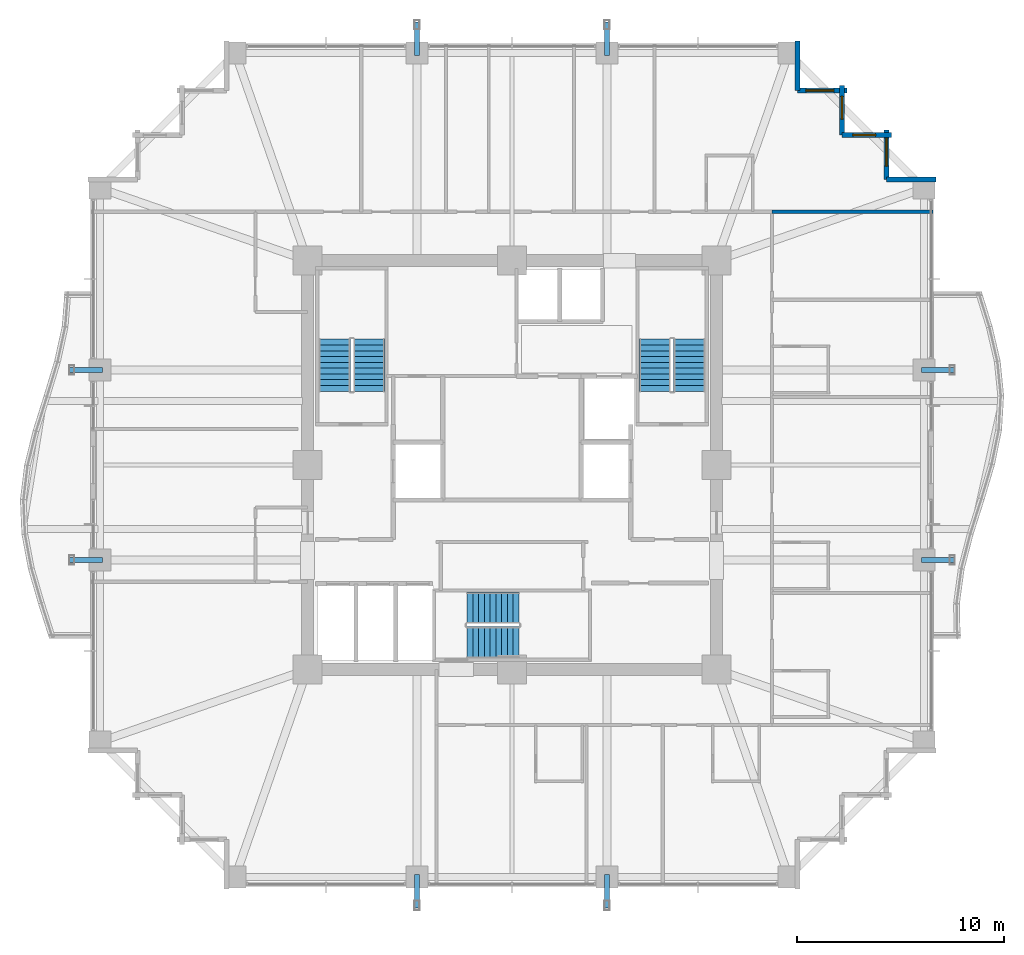
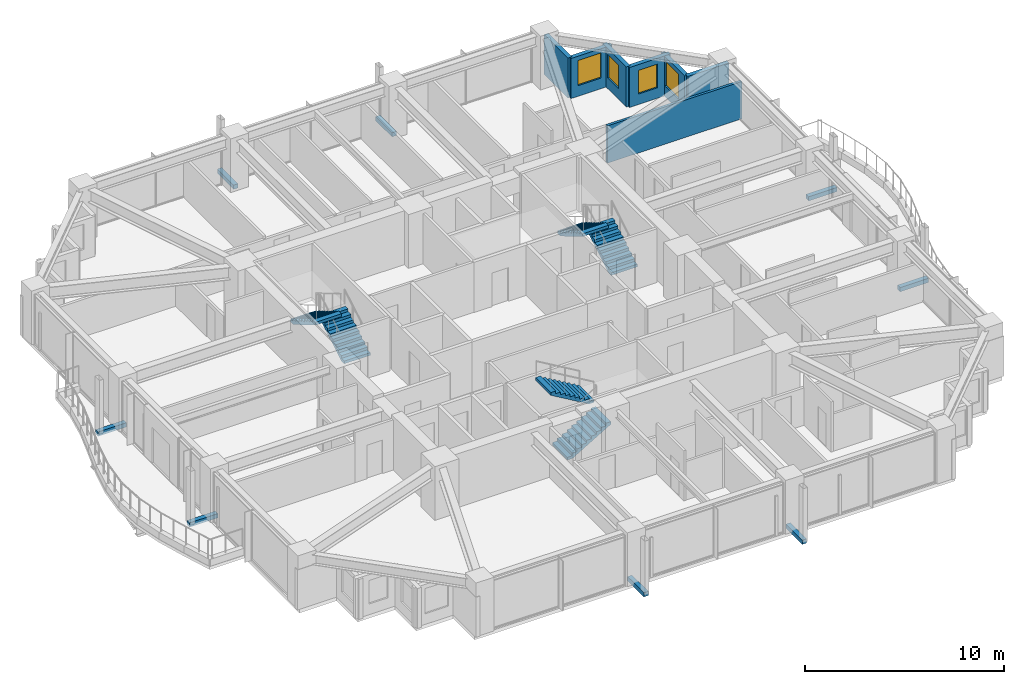
# One storey, part 35 of 37: 8 discrete accessories, 7 walls, 6 stair flights, 4 windows, 4 openings, 3 elements without a shape of their own.
"""IFC4 building model written with IfcOpenShell, lengths in metres."""

from ifc_helpers import new_model, si_unit, direction, frame, frame_2d, origin, origin_2d, place, context, subcontext, project, spatial, polyline, rectangle, outline, extrude, material, layer, layer_set, type_object, element, fill, aggregate, save


model = new_model("IFC4")

# Units and contexts
model_context = context("Model", 3, precision=1e-05, world=origin(), true_north=direction((0.0, 1.0)))
body_context = subcontext(model_context, "Body", "Model", "MODEL_VIEW")
ifc_project = project(units=[si_unit("LENGTHUNIT", "METRE"), si_unit("AREAUNIT", "SQUARE_METRE"), si_unit("VOLUMEUNIT", "CUBIC_METRE"), si_unit("PLANEANGLEUNIT", "RADIAN"), si_unit("MASSUNIT", "GRAM", prefix="KILO")], contexts=[model_context])

# Site, building, storey
site_placement = place(None, origin())
site = spatial("IfcSite", under=ifc_project, at=site_placement, CompositionType="ELEMENT")
building_placement = place(site_placement, origin())
building = spatial("IfcBuilding", under=site, at=building_placement, Name="Kolvaren Belvedere", CompositionType="ELEMENT")
storey_placement = place(building_placement, frame((0.0, 0.0, 75.5)))
storey = spatial("IfcBuildingStorey", under=building, at=storey_placement, Name="L21", CompositionType="ELEMENT", Elevation=75.5)

# Wall
ifc_material_1 = material(Name="Insulated pale-metal facade wall assembly", Category="aluminium")
ifc_layer_1 = layer(ifc_material_1, 0.239990234375)
ifc_layer_set_1 = layer_set([ifc_layer_1], Name="Insulated pale-metal facade wall assembly")
wall_type_1 = type_object("IfcWallType", Name="WL-EXT-240", PredefinedType="STANDARD", material=ifc_layer_set_1)
wall_1_placement = place(storey_placement, frame((18.1298828125, 13.830078125, 0.0), z_axis=(0.0, 0.0, 1.0), x_axis=(1.0, 0.0, 0.0)))
element("IfcWall", 1, at=wall_1_placement, inside=storey, type_object=wall_type_1, Name="L21 Serrated Corner Facade Wall 9", PredefinedType="STANDARD", context=body_context, shape_type="SweptSolid", body=[
    extrude(rectangle(XDim=2.39013671875, YDim=0.239990234375, at=frame_2d((1.195068359375, 0.0))), origin(), (0.0, 0.0, 1.0), 2.458984375),
])

# Wall, opening, window
wall_2_placement = place(storey_placement, frame((18.1298828125, 16.219970703125, 0.0), z_axis=(0.0, 0.0, 1.0), x_axis=(0.0, -1.0, 0.0)))
wall_2 = element("IfcWall", 2, at=wall_2_placement, inside=storey, type_object=wall_type_1, Name="L21 Serrated Corner Facade Wall 10", PredefinedType="STANDARD", context=body_context, shape_type="SweptSolid", body=[
    extrude(rectangle(XDim=2.389892578125, YDim=0.239990234375, at=frame_2d((1.19482421875, 0.0))), origin(), (0.0, 0.0, 1.0), 2.458984375),
])
opening_1_placement = place(wall_2_placement, frame((0.39990234375, 0.0, 0.64990234375)))
opening_1 = element("IfcOpeningElement", 3, at=opening_1_placement, cuts=wall_2, Name="Opening W-1350", PredefinedType="OPENING", context=body_context, shape_type="SweptSolid", body=[
    extrude(rectangle(XDim=1.35009765625, YDim=1.550048828125, at=frame_2d((0.675048828125, 0.77490234375))), frame((0.0, 0.1298828125, 0.0), z_axis=(0.0, -1.0, 0.0), x_axis=(1.0, 0.0, 0.0)), (0.0, 0.0, 1.0), 0.260009765625),
])
ifc_material_2 = material(Name="Low-iron triple insulated glass", Category="glass")
window_type_1 = type_object("IfcWindowType", Name="WN-CORN-1350", PartitioningType="SINGLE_PANEL", PredefinedType="WINDOW", material=ifc_material_2)
window_1_placement = place(opening_1_placement, origin())
window_1 = element("IfcWindow", 4, at=window_1_placement, inside=storey, type_object=window_type_1, Name="L21 Serrated Corner Vision Window 10", OverallHeight=1.550048828125, OverallWidth=1.35009765625, PartitioningType="SINGLE_PANEL", PredefinedType="WINDOW", context=body_context, shape_type="SweptSolid", body=[
    extrude(rectangle(XDim=1.35009765625, YDim=1.550048828125, at=frame_2d((0.675048828125, 0.77490234375))), frame((0.0, 0.030029296875, 0.0), z_axis=(0.0, -1.0, 0.0), x_axis=(1.0, 0.0, 0.0)), (0.0, 0.0, 1.0), 0.06005859375),
])
fill(opening_1, window_1)

wall_3_placement = place(storey_placement, frame((15.97998046875, 15.97998046875, 0.0), z_axis=(0.0, 0.0, 1.0), x_axis=(1.0, 0.0, 0.0)))
wall_3 = element("IfcWall", 5, at=wall_3_placement, inside=storey, type_object=wall_type_1, Name="L21 Serrated Corner Facade Wall 11", PredefinedType="STANDARD", context=body_context, shape_type="SweptSolid", body=[
    extrude(rectangle(XDim=2.39013671875, YDim=0.239990234375, at=frame_2d((1.195068359375, 0.0))), origin(), (0.0, 0.0, 1.0), 2.458984375),
])
opening_2_placement = place(wall_3_placement, frame((0.52490234375, 0.0, 0.64990234375)))
opening_2 = element("IfcOpeningElement", 6, at=opening_2_placement, cuts=wall_3, Name="Opening W-1100", PredefinedType="OPENING", context=body_context, shape_type="SweptSolid", body=[
    extrude(rectangle(XDim=1.10009765625, YDim=1.449951171875, at=frame_2d((0.550048828125, 0.72509765625))), frame((0.0, 0.1298828125, 0.0), z_axis=(0.0, -1.0, 0.0), x_axis=(1.0, 0.0, 0.0)), (0.0, 0.0, 1.0), 0.260009765625),
])
ifc_material_3 = material(Name="Low-iron triple insulated glass", Category="glass")
window_type_2 = type_object("IfcWindowType", Name="WN-CORN-1100", PartitioningType="SINGLE_PANEL", PredefinedType="WINDOW", material=ifc_material_3)
window_2_placement = place(opening_2_placement, origin())
window_2 = element("IfcWindow", 7, at=window_2_placement, inside=storey, type_object=window_type_2, Name="L21 Serrated Corner Vision Window 11", OverallHeight=1.449951171875, OverallWidth=1.10009765625, PartitioningType="SINGLE_PANEL", PredefinedType="WINDOW", context=body_context, shape_type="SweptSolid", body=[
    extrude(rectangle(XDim=1.10009765625, YDim=1.449951171875, at=frame_2d((0.550048828125, 0.72509765625))), frame((0.0, 0.030029296875, 0.0), z_axis=(0.0, -1.0, 0.0), x_axis=(1.0, 0.0, 0.0)), (0.0, 0.0, 1.0), 0.06005859375),
])
fill(opening_2, window_2)

wall_4_placement = place(storey_placement, frame((15.97998046875, 18.3701171875, 0.0), z_axis=(0.0, 0.0, 1.0), x_axis=(0.0, -1.0, 0.0)))
wall_4 = element("IfcWall", 8, at=wall_4_placement, inside=storey, type_object=wall_type_1, Name="L21 Serrated Corner Facade Wall 12", PredefinedType="STANDARD", context=body_context, shape_type="SweptSolid", body=[
    extrude(rectangle(XDim=2.39013671875, YDim=0.239990234375, at=frame_2d((1.195068359375, 0.0))), origin(), (0.0, 0.0, 1.0), 2.458984375),
])
opening_3_placement = place(wall_4_placement, frame((0.52490234375, 0.0, 0.64990234375)))
opening_3 = element("IfcOpeningElement", 9, at=opening_3_placement, cuts=wall_4, Name="Opening W-1100", PredefinedType="OPENING", context=body_context, shape_type="SweptSolid", body=[
    extrude(rectangle(XDim=1.10009765625, YDim=1.449951171875, at=frame_2d((0.550048828125, 0.72509765625))), frame((0.0, 0.1298828125, 0.0), z_axis=(0.0, -1.0, 0.0), x_axis=(1.0, 0.0, 0.0)), (0.0, 0.0, 1.0), 0.260009765625),
])
window_3_placement = place(opening_3_placement, origin())
window_3 = element("IfcWindow", 10, at=window_3_placement, inside=storey, type_object=window_type_2, Name="L21 Serrated Corner Vision Window 12", OverallHeight=1.449951171875, OverallWidth=1.10009765625, PartitioningType="SINGLE_PANEL", PredefinedType="WINDOW", context=body_context, shape_type="SweptSolid", body=[
    extrude(rectangle(XDim=1.10009765625, YDim=1.449951171875, at=frame_2d((0.550048828125, 0.72509765625))), frame((0.0, 0.030029296875, 0.0), z_axis=(0.0, -1.0, 0.0), x_axis=(1.0, 0.0, 0.0)), (0.0, 0.0, 1.0), 0.06005859375),
])
fill(opening_3, window_3)

wall_5_placement = place(storey_placement, frame((13.830078125, 18.1298828125, 0.0), z_axis=(0.0, 0.0, 1.0), x_axis=(1.0, 0.0, 0.0)))
wall_5 = element("IfcWall", 11, at=wall_5_placement, inside=storey, type_object=wall_type_1, Name="L21 Serrated Corner Facade Wall 13", PredefinedType="STANDARD", context=body_context, shape_type="SweptSolid", body=[
    extrude(rectangle(XDim=2.389892578125, YDim=0.239990234375, at=frame_2d((1.19482421875, 0.0))), origin(), (0.0, 0.0, 1.0), 2.458984375),
])
opening_4_placement = place(wall_5_placement, frame((0.39990234375, 0.0, 0.64990234375)))
opening_4 = element("IfcOpeningElement", 12, at=opening_4_placement, cuts=wall_5, Name="Opening W-1350", PredefinedType="OPENING", context=body_context, shape_type="SweptSolid", body=[
    extrude(rectangle(XDim=1.35009765625, YDim=1.550048828125, at=frame_2d((0.675048828125, 0.77490234375))), frame((0.0, 0.1298828125, 0.0), z_axis=(0.0, -1.0, 0.0), x_axis=(1.0, 0.0, 0.0)), (0.0, 0.0, 1.0), 0.260009765625),
])
window_4_placement = place(opening_4_placement, origin())
window_4 = element("IfcWindow", 13, at=window_4_placement, inside=storey, type_object=window_type_1, Name="L21 Serrated Corner Vision Window 13", OverallHeight=1.550048828125, OverallWidth=1.35009765625, PartitioningType="SINGLE_PANEL", PredefinedType="WINDOW", context=body_context, shape_type="SweptSolid", body=[
    extrude(rectangle(XDim=1.35009765625, YDim=1.550048828125, at=frame_2d((0.675048828125, 0.77490234375))), frame((0.0, 0.030029296875, 0.0), z_axis=(0.0, -1.0, 0.0), x_axis=(1.0, 0.0, 0.0)), (0.0, 0.0, 1.0), 0.06005859375),
])
fill(opening_4, window_4)

# Walls
wall_6_placement = place(storey_placement, frame((13.830078125, 20.52001953125, 0.0), z_axis=(0.0, 0.0, 1.0), x_axis=(0.0, -1.0, 0.0)))
element("IfcWall", 14, at=wall_6_placement, inside=storey, type_object=wall_type_1, Name="L21 Serrated Corner Facade Wall 14", PredefinedType="STANDARD", context=body_context, shape_type="SweptSolid", body=[
    extrude(rectangle(XDim=2.39013671875, YDim=0.239990234375, at=frame_2d((1.195068359375, 0.0))), origin(), (0.0, 0.0, 1.0), 2.458984375),
])
ifc_material_4 = material(Name="Gypsum acoustic partition assembly", Category="gypsum")
ifc_layer_2 = layer(ifc_material_4, 0.14990234375)
ifc_layer_set_2 = layer_set([ifc_layer_2], Name="Gypsum acoustic partition assembly")
wall_type_2 = type_object("IfcWallType", Name="WL-PART-150", PredefinedType="PARTITIONING", material=ifc_layer_set_2)
wall_7_placement = place(storey_placement, frame((12.580078125, 12.260009765625, 0.0), z_axis=(0.0, 0.0, 1.0), x_axis=(1.0, 0.0, 0.0)))
element("IfcWall", 15, at=wall_7_placement, inside=storey, type_object=wall_type_2, Name="L21 Wing Divider PW-L21-QNE", PredefinedType="PARTITIONING", context=body_context, shape_type="SweptSolid", body=[
    extrude(rectangle(XDim=7.7998046875, YDim=0.14990234375, at=frame_2d((3.89990234375, 0.0))), origin(), (0.0, 0.0, 1.0), 2.2919921875),
])

# Stair, stair flights
ifc_material_5 = material(Name="Concrete C50/60", Category="concrete")
stair_type = type_object("IfcStairType", Name="ST-CORE-1520", PredefinedType="HALF_TURN_STAIR", material=ifc_material_5)
stair_1_placement = place(storey_placement, origin())
stair_1 = element("IfcStair", 16, at=stair_1_placement, inside=storey, type_object=stair_type, Name="L21 Protected Exit Stair ST-1", PredefinedType="HALF_TURN_STAIR")
ifc_material_6 = material(Name="Concrete C50/60", Category="concrete")
stair_flight_type = type_object("IfcStairFlightType", Name="SF-STR-1520", PredefinedType="STRAIGHT", material=ifc_material_6)
stair_flight_1_placement = place(storey_placement, frame((-6.919921875, 3.570068359375, 0.0), z_axis=(0.0, 0.0, 1.0), x_axis=(0.0, 1.0, 0.0)))
stair_flight_1 = element("IfcStairFlight", 17, at=stair_flight_1_placement, type_object=stair_flight_type, Name="ST-1 flight 1", NumberOfRisers=10, NumberOfTreads=9, PredefinedType="STRAIGHT", RiserHeight=0.165, TreadLength=0.28, context=body_context, shape_type="SweptSolid", body=[
    extrude(outline(polyline([(0.0, 0.0), (0.0, 0.1650390625), (0.280029296875, 0.1650390625), (0.280029296875, 0.330078125), (0.56005859375, 0.330078125), (0.56005859375, 0.4951171875), (0.840087890625, 0.4951171875), (0.840087890625, 0.659912109375), (1.1201171875, 0.659912109375), (1.1201171875, 0.824951171875), (1.39990234375, 0.824951171875), (1.39990234375, 0.989990234375), (1.679931640625, 0.989990234375), (1.679931640625, 1.155029296875), (1.9599609375, 1.155029296875), (1.9599609375, 1.320068359375), (2.239990234375, 1.320068359375), (2.239990234375, 1.485107421875), (2.52001953125, 1.485107421875), (2.52001953125, 1.64990234375), (2.52001953125, 1.31103515625), (0.295166015625, 0.0), (0.0, 0.0)])), frame((0.0, 0.760009765625, 0.0), z_axis=(0.0, -1.0, 0.0), x_axis=(1.0, 0.0, 0.0)), (0.0, 0.0, 1.0), 1.52001953125),
])
stair_flight_2_placement = place(storey_placement, frame((-8.590087890625, 6.090087890625, 1.64990234375), z_axis=(0.0, 0.0, 1.0), x_axis=(0.0, -1.0, 0.0)))
stair_flight_2 = element("IfcStairFlight", 18, at=stair_flight_2_placement, type_object=stair_flight_type, Name="ST-1 flight 2", NumberOfRisers=10, NumberOfTreads=9, PredefinedType="STRAIGHT", RiserHeight=0.165, TreadLength=0.28, context=body_context, shape_type="SweptSolid", body=[
    extrude(outline(polyline([(0.0, 0.0), (0.0, 0.1650390625), (0.280029296875, 0.1650390625), (0.280029296875, 0.330078125), (0.56005859375, 0.330078125), (0.56005859375, 0.4951171875), (0.840087890625, 0.4951171875), (0.840087890625, 0.659912109375), (1.1201171875, 0.659912109375), (1.1201171875, 0.824951171875), (1.39990234375, 0.824951171875), (1.39990234375, 0.989990234375), (1.679931640625, 0.989990234375), (1.679931640625, 1.155029296875), (1.9599609375, 1.155029296875), (1.9599609375, 1.320068359375), (2.239990234375, 1.320068359375), (2.239990234375, 1.485107421875), (2.52001953125, 1.485107421875), (2.52001953125, 1.64990234375), (2.52001953125, 1.31103515625), (0.295166015625, 0.0), (0.0, 0.0)])), frame((0.0, 0.760009765625, 0.0), z_axis=(0.0, -1.0, 0.0), x_axis=(1.0, 0.0, 0.0)), (0.0, 0.0, 1.0), 1.52001953125),
])
aggregate(stair_1, [stair_flight_1, stair_flight_2])

stair_2_placement = place(storey_placement, origin())
stair_2 = element("IfcStair", 19, at=stair_2_placement, inside=storey, type_object=stair_type, Name="L21 Protected Exit Stair ST-2", PredefinedType="HALF_TURN_STAIR")
stair_flight_3_placement = place(storey_placement, frame((8.590087890625, 3.570068359375, 0.0), z_axis=(0.0, 0.0, 1.0), x_axis=(0.0, 1.0, 0.0)))
stair_flight_3 = element("IfcStairFlight", 20, at=stair_flight_3_placement, type_object=stair_flight_type, Name="ST-2 flight 1", NumberOfRisers=10, NumberOfTreads=9, PredefinedType="STRAIGHT", RiserHeight=0.165, TreadLength=0.28, context=body_context, shape_type="SweptSolid", body=[
    extrude(outline(polyline([(0.0, 0.0), (0.0, 0.1650390625), (0.280029296875, 0.1650390625), (0.280029296875, 0.330078125), (0.56005859375, 0.330078125), (0.56005859375, 0.4951171875), (0.840087890625, 0.4951171875), (0.840087890625, 0.659912109375), (1.1201171875, 0.659912109375), (1.1201171875, 0.824951171875), (1.39990234375, 0.824951171875), (1.39990234375, 0.989990234375), (1.679931640625, 0.989990234375), (1.679931640625, 1.155029296875), (1.9599609375, 1.155029296875), (1.9599609375, 1.320068359375), (2.239990234375, 1.320068359375), (2.239990234375, 1.485107421875), (2.52001953125, 1.485107421875), (2.52001953125, 1.64990234375), (2.52001953125, 1.31103515625), (0.295166015625, 0.0), (0.0, 0.0)])), frame((0.0, 0.760009765625, 0.0), z_axis=(0.0, -1.0, 0.0), x_axis=(1.0, 0.0, 0.0)), (0.0, 0.0, 1.0), 1.52001953125),
])
stair_flight_4_placement = place(storey_placement, frame((6.919921875, 6.090087890625, 1.64990234375), z_axis=(0.0, 0.0, 1.0), x_axis=(0.0, -1.0, 0.0)))
stair_flight_4 = element("IfcStairFlight", 21, at=stair_flight_4_placement, type_object=stair_flight_type, Name="ST-2 flight 2", NumberOfRisers=10, NumberOfTreads=9, PredefinedType="STRAIGHT", RiserHeight=0.165, TreadLength=0.28, context=body_context, shape_type="SweptSolid", body=[
    extrude(outline(polyline([(0.0, 0.0), (0.0, 0.1650390625), (0.280029296875, 0.1650390625), (0.280029296875, 0.330078125), (0.56005859375, 0.330078125), (0.56005859375, 0.4951171875), (0.840087890625, 0.4951171875), (0.840087890625, 0.659912109375), (1.1201171875, 0.659912109375), (1.1201171875, 0.824951171875), (1.39990234375, 0.824951171875), (1.39990234375, 0.989990234375), (1.679931640625, 0.989990234375), (1.679931640625, 1.155029296875), (1.9599609375, 1.155029296875), (1.9599609375, 1.320068359375), (2.239990234375, 1.320068359375), (2.239990234375, 1.485107421875), (2.52001953125, 1.485107421875), (2.52001953125, 1.64990234375), (2.52001953125, 1.31103515625), (0.295166015625, 0.0), (0.0, 0.0)])), frame((0.0, 0.760009765625, 0.0), z_axis=(0.0, -1.0, 0.0), x_axis=(1.0, 0.0, 0.0)), (0.0, 0.0, 1.0), 1.52001953125),
])
aggregate(stair_2, [stair_flight_3, stair_flight_4])

stair_3_placement = place(storey_placement, origin())
stair_3 = element("IfcStair", 22, at=stair_3_placement, inside=storey, type_object=stair_type, Name="L21 Protected Exit Stair ST-3", PredefinedType="HALF_TURN_STAIR")
stair_flight_5_placement = place(storey_placement, frame((-2.179931640625, -8.590087890625, 0.0), z_axis=(0.0, 0.0, 1.0), x_axis=(1.0, 0.0, 0.0)))
stair_flight_5 = element("IfcStairFlight", 23, at=stair_flight_5_placement, type_object=stair_flight_type, Name="ST-3 flight 1", NumberOfRisers=10, NumberOfTreads=9, PredefinedType="STRAIGHT", RiserHeight=0.165, TreadLength=0.28, context=body_context, shape_type="SweptSolid", body=[
    extrude(outline(polyline([(0.0, 0.0), (0.0, 0.1650390625), (0.280029296875, 0.1650390625), (0.280029296875, 0.330078125), (0.56005859375, 0.330078125), (0.56005859375, 0.4951171875), (0.840087890625, 0.4951171875), (0.840087890625, 0.659912109375), (1.1201171875, 0.659912109375), (1.1201171875, 0.824951171875), (1.39990234375, 0.824951171875), (1.39990234375, 0.989990234375), (1.679931640625, 0.989990234375), (1.679931640625, 1.155029296875), (1.9599609375, 1.155029296875), (1.9599609375, 1.320068359375), (2.239990234375, 1.320068359375), (2.239990234375, 1.485107421875), (2.52001953125, 1.485107421875), (2.52001953125, 1.64990234375), (2.52001953125, 1.31103515625), (0.295166015625, 0.0), (0.0, 0.0)])), frame((0.0, 0.760009765625, 0.0), z_axis=(0.0, -1.0, 0.0), x_axis=(1.0, 0.0, 0.0)), (0.0, 0.0, 1.0), 1.52001953125),
])
stair_flight_6_placement = place(storey_placement, frame((0.340087890625, -6.919921875, 1.64990234375), z_axis=(0.0, 0.0, 1.0), x_axis=(-1.0, 0.0, 0.0)))
stair_flight_6 = element("IfcStairFlight", 24, at=stair_flight_6_placement, type_object=stair_flight_type, Name="ST-3 flight 2", NumberOfRisers=10, NumberOfTreads=9, PredefinedType="STRAIGHT", RiserHeight=0.165, TreadLength=0.28, context=body_context, shape_type="SweptSolid", body=[
    extrude(outline(polyline([(0.0, 0.0), (0.0, 0.1650390625), (0.280029296875, 0.1650390625), (0.280029296875, 0.330078125), (0.56005859375, 0.330078125), (0.56005859375, 0.4951171875), (0.840087890625, 0.4951171875), (0.840087890625, 0.659912109375), (1.1201171875, 0.659912109375), (1.1201171875, 0.824951171875), (1.39990234375, 0.824951171875), (1.39990234375, 0.989990234375), (1.679931640625, 0.989990234375), (1.679931640625, 1.155029296875), (1.9599609375, 1.155029296875), (1.9599609375, 1.320068359375), (2.239990234375, 1.320068359375), (2.239990234375, 1.485107421875), (2.52001953125, 1.485107421875), (2.52001953125, 1.64990234375), (2.52001953125, 1.31103515625), (0.295166015625, 0.0), (0.0, 0.0)])), frame((0.0, 0.760009765625, 0.0), z_axis=(0.0, -1.0, 0.0), x_axis=(1.0, 0.0, 0.0)), (0.0, 0.0, 1.0), 1.52001953125),
])
aggregate(stair_3, [stair_flight_5, stair_flight_6])

# Discrete accessories
ifc_material_7 = material(Name="Structural steel ASTM A572 Grade 50", Category="steel")
discrete_accessory_type = type_object("IfcDiscreteAccessoryType", Name="BRK-1 Steel Facade Support Bracket", PredefinedType="BRACKET", material=ifc_material_7)
for number, where, z_axis, x_axis, name in (
    (25, (-4.60009765625, 20.635009765625, -0.169921875), (0.0, 0.0, 1.0), (0.0, 1.0, 0.0), "L21 Picture-Frame Outrigger Cleat Bracket N1"),
    (26, (4.60009765625, 20.635009765625, -0.169921875), (0.0, 0.0, 1.0), (0.0, 1.0, 0.0), "L21 Picture-Frame Outrigger Cleat Bracket N2"),
    (27, (4.60009765625, -20.635009765625, -0.169921875), (0.0, 0.0, 1.0), (0.0, 1.0, 0.0), "L21 Picture-Frame Outrigger Cleat Bracket S1"),
    (28, (-4.60009765625, -20.635009765625, -0.169921875), (0.0, 0.0, 1.0), (0.0, 1.0, 0.0), "L21 Picture-Frame Outrigger Cleat Bracket S2"),
    (29, (20.635009765625, 4.60009765625, -0.169921875), (0.0, 0.0, 1.0), (1.0, 0.0, 0.0), "L21 Picture-Frame Outrigger Cleat Bracket E1"),
    (30, (20.635009765625, -4.60009765625, -0.169921875), (0.0, 0.0, 1.0), (1.0, 0.0, 0.0), "L21 Picture-Frame Outrigger Cleat Bracket E2"),
    (31, (-20.635009765625, -4.60009765625, -0.169921875), (0.0, 0.0, 1.0), (1.0, 0.0, 0.0), "L21 Picture-Frame Outrigger Cleat Bracket W1"),
    (32, (-20.635009765625, 4.60009765625, -0.169921875), (0.0, 0.0, 1.0), (1.0, 0.0, 0.0), "L21 Picture-Frame Outrigger Cleat Bracket W2"),
):
    element("IfcDiscreteAccessory", number, at=place(storey_placement, frame(where, z_axis=z_axis, x_axis=x_axis)), inside=storey, type_object=discrete_accessory_type, Name=name, PredefinedType="BRACKET", context=body_context, shape_type="SweptSolid", body=[
        extrude(rectangle(XDim=1.639892578125, YDim=0.260009765625, at=origin_2d()), origin(), (0.0, 0.0, 1.0), 0.260009765625),
    ])

save(model, "model.ifc")
